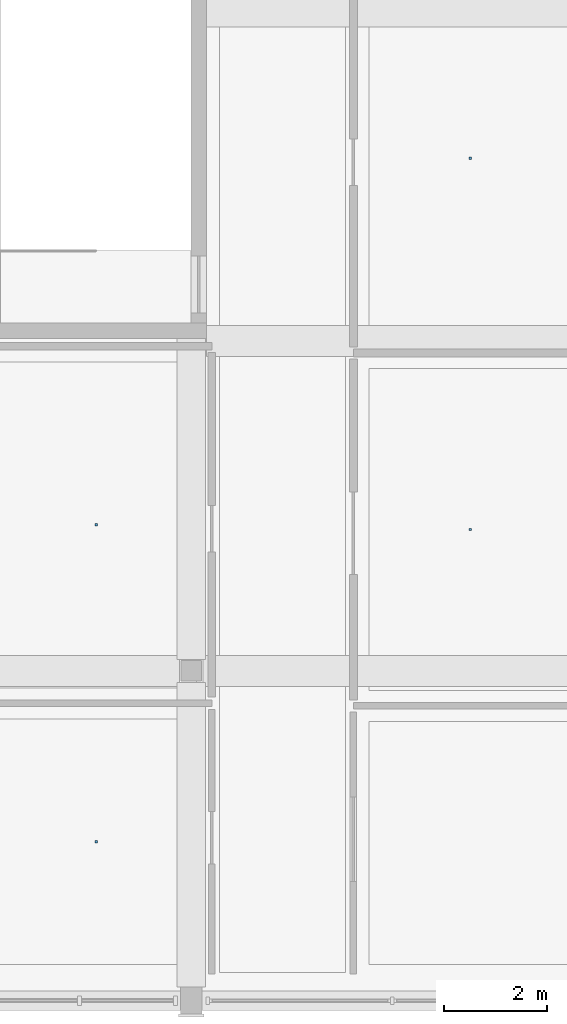
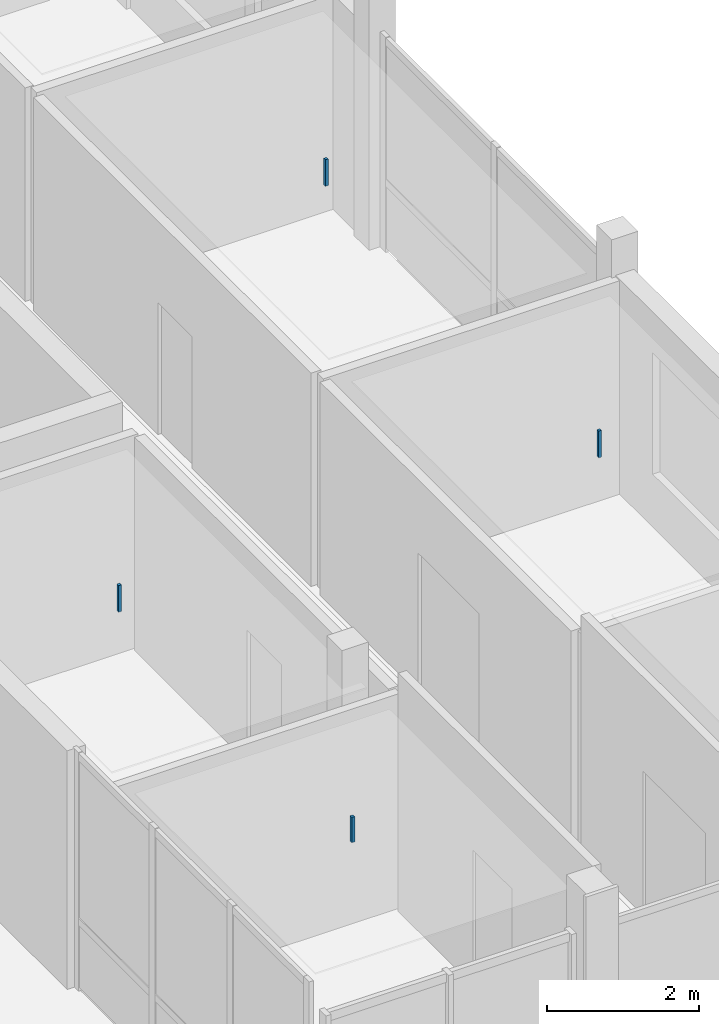
# One storey, part 15 of 24: 4 discrete accessories.
"""IFC4 building model written with IfcOpenShell, lengths in metres."""

from ifc_helpers import new_model, si_unit, derived_unit, direction, frame, origin, origin_2d, place, context, subcontext, project, spatial, rectangle, extrude, material, type_object, element, save


model = new_model("IFC4")

# Units and contexts
model_context = context("Model", 3, precision=1e-05, world=origin(), true_north=direction((0.0, 1.0)))
body_context = subcontext(model_context, "Body", "Model", "MODEL_VIEW")
ifc_project = project(units=[si_unit("LENGTHUNIT", "METRE"), si_unit("AREAUNIT", "SQUARE_METRE"), si_unit("VOLUMEUNIT", "CUBIC_METRE"), si_unit("PLANEANGLEUNIT", "RADIAN"), si_unit("MASSUNIT", "GRAM", prefix="KILO"), derived_unit("THERMALTRANSMITTANCEUNIT", [(si_unit("POWERUNIT", "WATT"), 1), (si_unit("LENGTHUNIT", "METRE"), -2), (si_unit("THERMODYNAMICTEMPERATUREUNIT", "KELVIN"), -1)])], contexts=[model_context])

# Site, building, storey
site_placement = place(None, origin())
site = spatial("IfcSite", under=ifc_project, at=site_placement, CompositionType="ELEMENT")
building_placement = place(site_placement, origin())
building = spatial("IfcBuilding", under=site, at=building_placement, Name="Braskholm Square Health Centre", CompositionType="ELEMENT")
storey_placement = place(building_placement, frame((0.0, 0.0, 21.60009765625)))
storey = spatial("IfcBuildingStorey", under=building, at=storey_placement, Name="L06", CompositionType="ELEMENT", Elevation=21.60009765625)

# Discrete accessories
ifc_material = material(Name="Steel ASTM A500 Grade C", Category="steel")
discrete_accessory_type = type_object("IfcDiscreteAccessoryType", Name="CeilingSuspensionBracket", PredefinedType="BRACKET", material=ifc_material)
discrete_accessory_placement = place(storey_placement, frame((9.56005859375, 7.284912109375, 3.44189453125), z_axis=(0.0, 0.0, 1.0), x_axis=(1.0, 0.0, 0.0)))
element("IfcDiscreteAccessory", 1, at=discrete_accessory_placement, inside=storey, type_object=discrete_accessory_type, Name="Ceiling hanger bracket 0095", PredefinedType="BRACKET", context=body_context, shape_type="SweptSolid", body=[
    extrude(rectangle(XDim=0.044921875, YDim=0.044921875, at=origin_2d()), origin(), (0.0, 0.0, 1.0), 0.409912109375),
])
for number, where, z_axis, x_axis, name in (
    (2, (9.56005859375, 13.43505859375, 3.421875), (0.0, 0.0, 1.0), (1.0, 0.0, 0.0), "Ceiling hanger bracket 0096"),
    (3, (16.81494140625, 13.344970703125, 3.421875), (0.0, 0.0, 1.0), (1.0, 0.0, 0.0), "Ceiling hanger bracket 0104"),
    (4, (16.81494140625, 20.550048828125, 3.421875), (0.0, 0.0, 1.0), (1.0, 0.0, 0.0), "Ceiling hanger bracket 0105"),
):
    element("IfcDiscreteAccessory", number, at=place(storey_placement, frame(where, z_axis=z_axis, x_axis=x_axis)), inside=storey, type_object=discrete_accessory_type, Name=name, PredefinedType="BRACKET", context=body_context, shape_type="SweptSolid", body=[
        extrude(rectangle(XDim=0.044921875, YDim=0.044921875, at=origin_2d()), origin(), (0.0, 0.0, 1.0), 0.429931640625),
    ])

save(model, "model.ifc")
